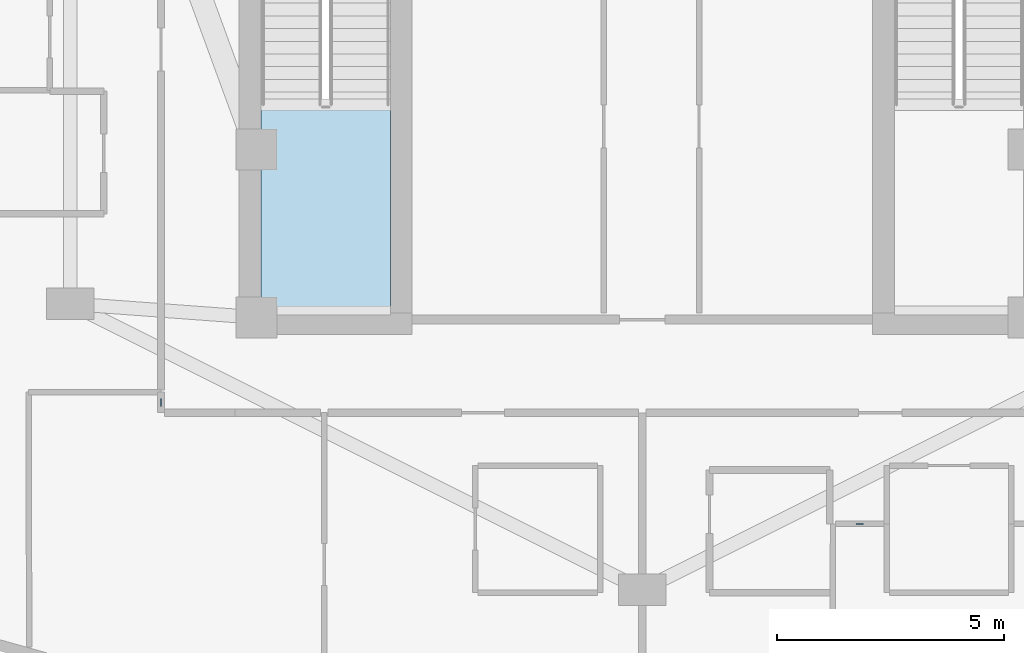
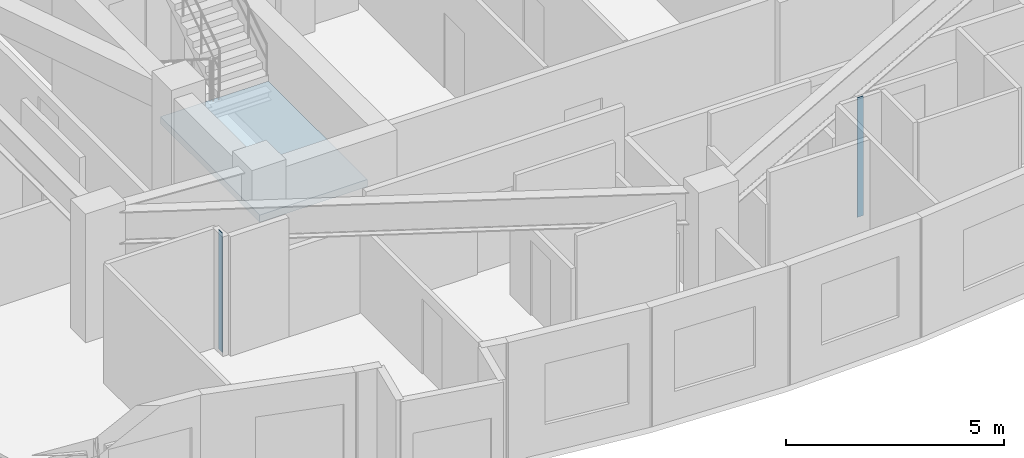
# One storey, part 2 of 13: 2 plates, 1 slab, 1 element without a shape of its own.
"""IFC4 building model written with IfcOpenShell, lengths in metres."""

from ifc_helpers import new_model, si_unit, direction, frame, origin, origin_2d, place, context, subcontext, project, spatial, polyline, rectangle, outline, extrude, material, layer, layer_set, type_object, element, aggregate, save


model = new_model("IFC4")

# Units and contexts
model_context = context("Model", 3, precision=1e-05, world=origin(), true_north=direction((0.0, 1.0)))
body_context = subcontext(model_context, "Body", "Model", "MODEL_VIEW")
ifc_project = project(units=[si_unit("LENGTHUNIT", "METRE"), si_unit("AREAUNIT", "SQUARE_METRE"), si_unit("VOLUMEUNIT", "CUBIC_METRE"), si_unit("PLANEANGLEUNIT", "RADIAN"), si_unit("MASSUNIT", "GRAM", prefix="KILO")], contexts=[model_context])

# Site, building, storey
site_placement = place(None, origin())
site = spatial("IfcSite", under=ifc_project, at=site_placement, CompositionType="ELEMENT")
building_placement = place(site_placement, origin())
building = spatial("IfcBuilding", under=site, at=building_placement, Name="Miruveldt Soraemaru", CompositionType="ELEMENT")
storey_placement = place(building_placement, frame((0.0, 0.0, 201.60009765625)))
storey = spatial("IfcBuildingStorey", under=building, at=storey_placement, Name="L55", CompositionType="ELEMENT", Elevation=201.60009765625)

# Plates
ifc_material_1 = material(Name="Anodised aluminium EN AW-6063 T6", Category="aluminium")
ifc_layer_1 = layer(ifc_material_1, 0.02001953125, Name="Anodised aluminium EN AW-6063 T6", Category="aluminium")
ifc_layer_set_1 = layer_set([ifc_layer_1], Name="Anodised aluminium EN AW-6063 T6")
plate_type = type_object("IfcPlateType", Name="PLT-PART-TRIM", PredefinedType="SHEET", material=ifc_layer_set_1)
for number, where, z_axis, x_axis, name in (
    (1, (48.7900390625, 30.949951171875, 0.0), (0.0, 0.0, 1.0), (1.0, 0.0, 0.0), "L55 Partition Step Corner Trim Plate 050"),
    (2, (33.39990234375, 33.6259765625, 0.0), (0.0, 0.0, 1.0), (0.0, -1.0, 0.0), "L55 Partition Step Corner Trim Plate 005"),
):
    element("IfcPlate", number, at=place(storey_placement, frame(where, z_axis=z_axis, x_axis=x_axis)), inside=storey, type_object=plate_type, Name=name, PredefinedType="SHEET", context=body_context, shape_type="SweptSolid", body=[
        extrude(rectangle(XDim=0.159912109375, YDim=0.02001953125, at=origin_2d()), origin(), (0.0, 0.0, 1.0), 3.344970703125),
    ])

# Stair, slab
ifc_material_2 = material(Name="Concrete C40/50 (40 MPa)", Category="concrete")
stair_type = type_object("IfcStairType", Name="STAIR-DL-360", PredefinedType="HALF_TURN_STAIR", material=ifc_material_2)
stair_placement = place(storey_placement, origin())
stair = element("IfcStair", 3, at=stair_placement, inside=storey, type_object=stair_type, Name="L55 Protected Exit Stair ST-1", PredefinedType="HALF_TURN_STAIR")
ifc_layer_2 = layer(ifc_material_2, 0.199951171875, Name="Concrete C40/50 (40 MPa)", Category="concrete")
ifc_layer_set_2 = layer_set([ifc_layer_2], Name="Concrete C40/50 (40 MPa)")
slab_type = type_object("IfcSlabType", Name="SLAB-LAND-200", PredefinedType="LANDING", material=ifc_layer_set_2)
slab_placement = place(storey_placement, frame((0.0, 0.0, 1.599853515625)))
slab = element("IfcSlab", 4, at=slab_placement, type_object=slab_type, Name="ST-1 landing 1", PredefinedType="LANDING", context=body_context, shape_type="SweptSolid", body=[
    extrude(outline(polyline([(35.60009765625, 40.197998046875), (35.60009765625, 35.64990234375), (38.449951171875, 35.64990234375), (38.449951171875, 40.197998046875), (35.60009765625, 40.197998046875)])), origin(), (0.0, 0.0, 1.0), 0.199951171875),
])
aggregate(stair, [slab])

save(model, "model.ifc")
